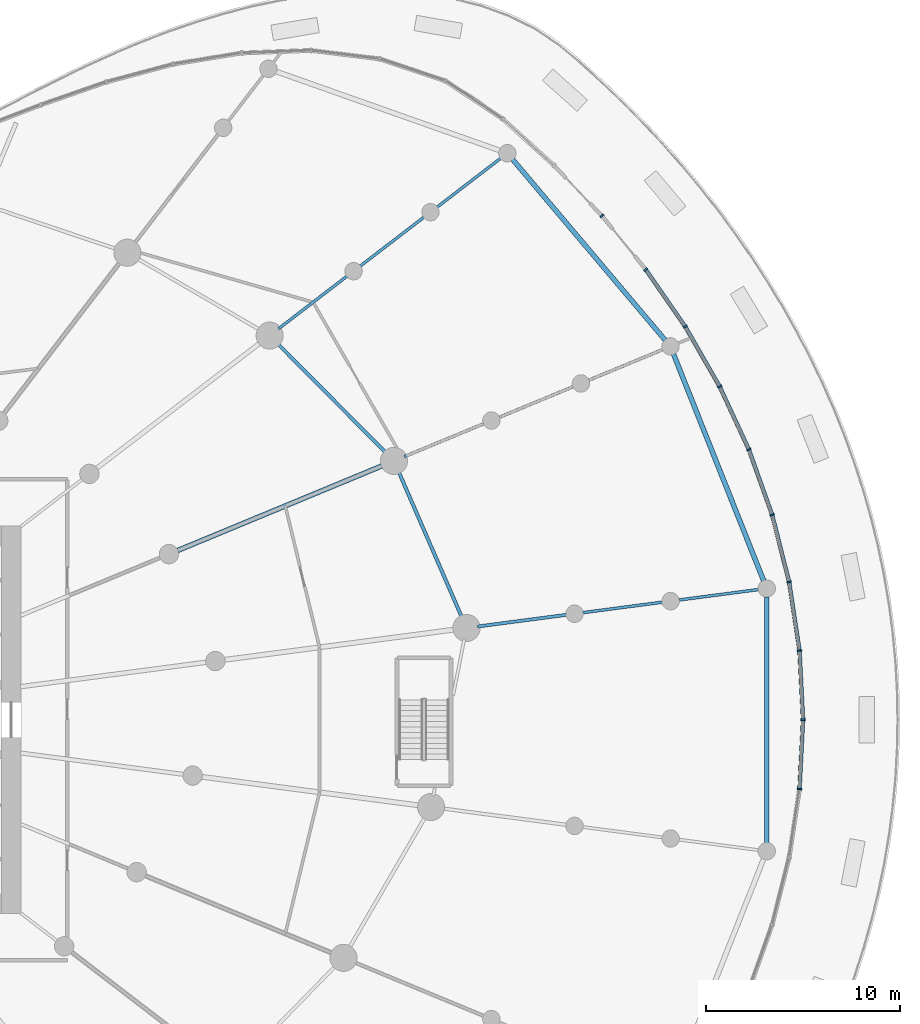
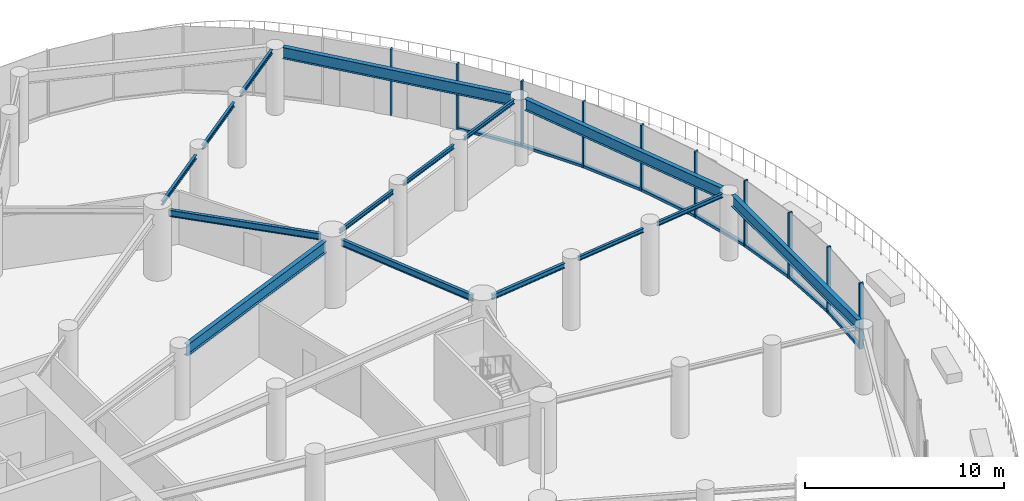
# One storey, part 8 of 24: 18 members, 15 beams, 3 elements without a shape of their own.
"""IFC4 building model written with IfcOpenShell, lengths in metres."""

from ifc_helpers import new_model, si_unit, direction, frame, origin, origin_2d, place, context, subcontext, project, spatial, rectangle, i_section, extrude, source, transform, mapped, material, layer, layer_set, material_profile, profile_set, type_object, element, aggregate, save


model = new_model("IFC4")

# Units and contexts
model_context = context("Model", 3, precision=1e-05, world=origin(), true_north=direction((0.0, 1.0)))
body_context = subcontext(model_context, "Body", "Model", "MODEL_VIEW")
ifc_project = project(units=[si_unit("LENGTHUNIT", "METRE"), si_unit("AREAUNIT", "SQUARE_METRE"), si_unit("VOLUMEUNIT", "CUBIC_METRE"), si_unit("PLANEANGLEUNIT", "RADIAN"), si_unit("MASSUNIT", "GRAM", prefix="KILO")], contexts=[model_context])

# Site, building, storey
site_placement = place(None, origin())
site = spatial("IfcSite", under=ifc_project, at=site_placement, CompositionType="ELEMENT")
building_placement = place(site_placement, origin())
building = spatial("IfcBuilding", under=site, at=building_placement, Name="Spindrift Exchange Tower", CompositionType="ELEMENT")
storey_placement = place(building_placement, frame((0.0, 0.0, 5.0)))
storey = spatial("IfcBuildingStorey", under=building, at=storey_placement, Name="L01", CompositionType="ELEMENT", Elevation=5.0)

# Beams
ifc_material_1 = material(Name="Steel Grade 300", Category="steel")
ifc_material_profile_1 = material_profile(ifc_material_1, i_section(OverallWidth=0.1650390625, OverallDepth=0.303955078125, WebThickness=0.006103515625, FlangeThickness=0.01025390625, FilletRadius=0.011474609375, at=origin_2d()), Name="310UB40.4")
ifc_profile_set_1 = profile_set([ifc_material_profile_1], Name="Steel Grade 300")
beam_type_1 = type_object("IfcBeamType", Name="Floor Beam 310UB40.4 Steel Grade 300", PredefinedType="BEAM", material=ifc_profile_set_1)
shared_shape_1 = source(origin(), body_context, "Body", "SweptSolid", [
    extrude(i_section(OverallWidth=0.1650390625, OverallDepth=0.303955078125, WebThickness=0.006103515625, FlangeThickness=0.01025390625, FilletRadius=0.011474609375, at=origin_2d()), origin(), (0.0, 0.0, 1.0), 4.613037109375),
])
beam_1_placement = place(storey_placement, frame((88.5654296875, 52.81396484375, 3.89794921875), z_axis=(0.991446547774, 0.130513382096, 0.0), x_axis=(-0.130513382096, 0.991446547774, 0.0)))
element("IfcBeam", 1, at=beam_1_placement, inside=storey, type_object=beam_type_1, Name="L01 radial beam R01C1", PredefinedType="BEAM", context=body_context, shape_type="MappedRepresentation", body=[
    mapped(shared_shape_1, transform((0.0, 0.0, 0.0), scale=1.0)),
])
ifc_material_profile_2 = material_profile(ifc_material_1, i_section(OverallWidth=0.14599609375, OverallDepth=0.251953125, WebThickness=0.006103515625, FlangeThickness=0.008544921875, FilletRadius=0.011962890625, at=origin_2d()), Name="250UB31.4")
ifc_profile_set_2 = profile_set([ifc_material_profile_2], Name="Steel Grade 300")
beam_type_2 = type_object("IfcBeamType", Name="Floor Beam 250UB31.4 Steel Grade 300", PredefinedType="BEAM", material=ifc_profile_set_2)
shared_shape_2 = source(origin(), body_context, "Body", "SweptSolid", [
    extrude(i_section(OverallWidth=0.14599609375, OverallDepth=0.251953125, WebThickness=0.006103515625, FlangeThickness=0.008544921875, FilletRadius=0.011962890625, at=origin_2d()), origin(), (0.0, 0.0, 1.0), 4.1396484375),
])
for number, where, z_axis, x_axis, name in (
    (2, (93.99169921875, 53.5283203125, 3.924072265625), (0.991446465077, 0.130514010304, 0.0), (-0.130514010304, 0.991446465077, 0.0), "L01 radial beam R01C2"),
    (3, (98.94873046875, 54.180908203125, 3.924072265625), (0.991446465077, 0.130514010304, 0.0), (-0.130514010304, 0.991446465077, 0.0), "L01 radial beam R01C3"),
    (4, (82.505859375, 71.407958984375, 3.924072265625), (0.793355694235, 0.608758361277, 0.0), (-0.608758361277, 0.793355694235, 0.0), "L01 radial beam R03C2"),
    (5, (86.472412109375, 74.45166015625, 3.924072265625), (0.793355694235, 0.608758361277, 0.0), (-0.608758361277, 0.793355694235, 0.0), "L01 radial beam R03C3"),
):
    element("IfcBeam", number, at=place(storey_placement, frame(where, z_axis=z_axis, x_axis=x_axis)), inside=storey, type_object=beam_type_2, Name=name, PredefinedType="BEAM", context=body_context, shape_type="MappedRepresentation", body=[
        mapped(shared_shape_2, transform((0.0, 0.0, 0.0), scale=1.0)),
    ])
ifc_material_profile_3 = material_profile(ifc_material_1, i_section(OverallWidth=0.25, OverallDepth=0.699951171875, WebThickness=0.008056640625, FlangeThickness=0.011962890625, at=origin_2d()), Name="700WB115")
ifc_profile_set_3 = profile_set([ifc_material_profile_3], Name="Steel Grade 300")
beam_type_3 = type_object("IfcBeamType", Name="Floor Beam 700WB115 Steel Grade 300", PredefinedType="BEAM", material=ifc_profile_set_3)
shared_shape_3 = source(origin(), body_context, "Body", "SweptSolid", [
    extrude(i_section(OverallWidth=0.25, OverallDepth=0.699951171875, WebThickness=0.008056640625, FlangeThickness=0.011962890625, at=origin_2d()), origin(), (0.0, 0.0, 1.0), 11.505859375),
])
beam_2_placement = place(storey_placement, frame((73.082763671875, 56.73291015625, 3.699951171875), z_axis=(0.923881578419, 0.38267849307, 0.0), x_axis=(-0.38267849307, 0.923881578419, 0.0)))
element("IfcBeam", 6, at=beam_2_placement, inside=storey, type_object=beam_type_3, Name="L01 radial beam R02B", PredefinedType="BEAM", context=body_context, shape_type="MappedRepresentation", body=[
    mapped(shared_shape_3, transform((0.0, 0.0, 0.0), scale=1.0)),
])
shared_shape_4 = source(origin(), body_context, "Body", "SweptSolid", [
    extrude(i_section(OverallWidth=0.14599609375, OverallDepth=0.251953125, WebThickness=0.006103515625, FlangeThickness=0.008544921875, FilletRadius=0.011962890625, at=origin_2d()), origin(), (0.0, 0.0, 1.0), 4.429931640625),
])
beam_3_placement = place(storey_placement, frame((84.78466796875, 61.579833984375, 3.924072265625), z_axis=(0.923877119512, 0.382689257808, 0.0), x_axis=(-0.382689257808, 0.923877119512, 0.0)))
element("IfcBeam", 7, at=beam_3_placement, inside=storey, type_object=beam_type_2, Name="L01 radial beam R02C1", PredefinedType="BEAM", context=body_context, shape_type="MappedRepresentation", body=[
    mapped(shared_shape_4, transform((0.0, 0.0, 0.0), scale=1.0)),
])
shared_shape_5 = source(origin(), body_context, "Body", "SweptSolid", [
    extrude(i_section(OverallWidth=0.14599609375, OverallDepth=0.251953125, WebThickness=0.006103515625, FlangeThickness=0.008544921875, FilletRadius=0.011962890625, at=origin_2d()), origin(), (0.0, 0.0, 1.0), 4.139892578125),
])
for number, where, z_axis, x_axis, name in (
    (8, (89.671875, 63.604248046875, 3.924072265625), (0.923880985108, 0.382679925467, 0.0), (-0.382679925467, 0.923880985108, 0.0), "L01 radial beam R02C2"),
    (9, (94.291015625, 65.517578125, 3.924072265625), (0.923880985108, 0.382679925467, 0.0), (-0.382679925467, 0.923880985108, 0.0), "L01 radial beam R02C3"),
):
    element("IfcBeam", number, at=place(storey_placement, frame(where, z_axis=z_axis, x_axis=x_axis)), inside=storey, type_object=beam_type_2, Name=name, PredefinedType="BEAM", context=body_context, shape_type="MappedRepresentation", body=[
        mapped(shared_shape_5, transform((0.0, 0.0, 0.0), scale=1.0)),
    ])
shared_shape_6 = source(origin(), body_context, "Body", "SweptSolid", [
    extrude(i_section(OverallWidth=0.14599609375, OverallDepth=0.251953125, WebThickness=0.006103515625, FlangeThickness=0.008544921875, FilletRadius=0.011962890625, at=origin_2d()), origin(), (0.0, 0.0, 1.0), 4.44677734375),
])
beam_4_placement = place(storey_placement, frame((78.295654296875, 68.177490234375, 3.924072265625), z_axis=(0.79335002513, 0.608765749387, 0.0), x_axis=(-0.608765749387, 0.79335002513, 0.0)))
element("IfcBeam", 10, at=beam_4_placement, inside=storey, type_object=beam_type_2, Name="L01 radial beam R03C1", PredefinedType="BEAM", context=body_context, shape_type="MappedRepresentation", body=[
    mapped(shared_shape_6, transform((0.0, 0.0, 0.0), scale=1.0)),
])
ifc_material_profile_4 = material_profile(ifc_material_1, i_section(OverallWidth=0.177978515625, OverallDepth=0.406005859375, WebThickness=0.0078125, FlangeThickness=0.0126953125, FilletRadius=0.013916015625, at=origin_2d()), Name="410UB59.7")
ifc_profile_set_4 = profile_set([ifc_material_profile_4], Name="Steel Grade 300")
beam_type_4 = type_object("IfcBeamType", Name="Edge Beam 410UB59.7 Steel Grade 300", PredefinedType="SPANDREL", material=ifc_profile_set_4)
shared_shape_7 = source(origin(), body_context, "Body", "SweptSolid", [
    extrude(i_section(OverallWidth=0.177978515625, OverallDepth=0.406005859375, WebThickness=0.0078125, FlangeThickness=0.0126953125, FilletRadius=0.013916015625, at=origin_2d()), origin(), (0.0, 0.0, 1.0), 8.23681640625),
])
beam_5_placement = place(storey_placement, frame((87.759521484375, 53.270263671875, 3.846923828125), z_axis=(-0.398186298756, 0.91730456855, 0.0), x_axis=(-0.91730456855, -0.398186298756, 0.0)))
element("IfcBeam", 11, at=beam_5_placement, inside=storey, type_object=beam_type_4, Name="L01 edge beam E01", PredefinedType="SPANDREL", context=body_context, shape_type="MappedRepresentation", body=[
    mapped(shared_shape_7, transform((0.0, 0.0, 0.0), scale=1.0)),
])
shared_shape_8 = source(origin(), body_context, "Body", "SweptSolid", [
    extrude(i_section(OverallWidth=0.177978515625, OverallDepth=0.406005859375, WebThickness=0.0078125, FlangeThickness=0.0126953125, FilletRadius=0.013916015625, at=origin_2d()), origin(), (0.0, 0.0, 1.0), 7.947509765625),
])
beam_6_placement = place(storey_placement, frame((83.840576171875, 61.769775390625, 3.846923828125), z_axis=(-0.704197895271, 0.710003749494, 0.0), x_axis=(-0.710003749494, -0.704197895271, 0.0)))
element("IfcBeam", 12, at=beam_6_placement, inside=storey, type_object=beam_type_4, Name="L01 edge beam E02", PredefinedType="SPANDREL", context=body_context, shape_type="MappedRepresentation", body=[
    mapped(shared_shape_8, transform((0.0, 0.0, 0.0), scale=1.0)),
])
ifc_material_profile_5 = material_profile(ifc_material_1, i_section(OverallWidth=0.25, OverallDepth=0.699951171875, WebThickness=0.008056640625, FlangeThickness=0.011962890625, at=origin_2d()), Name="700WB115")
ifc_profile_set_5 = profile_set([ifc_material_profile_5], Name="Steel Grade 300")
beam_type_5 = type_object("IfcBeamType", Name="Edge Beam 700WB115 Steel Grade 300", PredefinedType="SPANDREL", material=ifc_profile_set_5)
shared_shape_9 = source(origin(), body_context, "Body", "SweptSolid", [
    extrude(i_section(OverallWidth=0.25, OverallDepth=0.699951171875, WebThickness=0.008056640625, FlangeThickness=0.011962890625, at=origin_2d()), origin(), (0.0, 0.0, 1.0), 12.580078125),
])
beam_7_placement = place(storey_placement, frame((103.320556640625, 55.177001953125, 3.699951171875), z_axis=(-0.369509442432, 0.929226975477, 0.0), x_axis=(-0.929226975477, -0.369509442432, 0.0)))
element("IfcBeam", 13, at=beam_7_placement, inside=storey, type_object=beam_type_5, Name="L01 cascade edge beam G01", PredefinedType="SPANDREL", context=body_context, shape_type="MappedRepresentation", body=[
    mapped(shared_shape_9, transform((0.0, 0.0, 0.0), scale=1.0)),
])
shared_shape_10 = source(origin(), body_context, "Body", "SweptSolid", [
    extrude(i_section(OverallWidth=0.25, OverallDepth=0.699951171875, WebThickness=0.008056640625, FlangeThickness=0.011962890625, at=origin_2d()), origin(), (0.0, 0.0, 1.0), 12.184326171875),
])
beam_8_placement = place(storey_placement, frame((98.235595703125, 67.594970703125, 3.699951171875), z_axis=(-0.645119993508, 0.764081274457, 0.0), x_axis=(-0.764081274457, -0.645119993508, 0.0)))
element("IfcBeam", 14, at=beam_8_placement, inside=storey, type_object=beam_type_5, Name="L01 cascade edge beam G02", PredefinedType="SPANDREL", context=body_context, shape_type="MappedRepresentation", body=[
    mapped(shared_shape_10, transform((0.0, 0.0, 0.0), scale=1.0)),
])
shared_shape_11 = source(origin(), body_context, "Body", "SweptSolid", [
    extrude(i_section(OverallWidth=0.25, OverallDepth=0.699951171875, WebThickness=0.008056640625, FlangeThickness=0.011962890625, at=origin_2d()), origin(), (0.0, 0.0, 1.0), 12.69482421875),
])
beam_9_placement = place(storey_placement, frame((103.4794921875, 41.652587890625, 3.699951171875), z_axis=(0.0, 1.0, 0.0), x_axis=(-1.0, 0.0, 0.0)))
element("IfcBeam", 15, at=beam_9_placement, inside=storey, type_object=beam_type_5, Name="L01 cascade edge beam G24", PredefinedType="SPANDREL", context=body_context, shape_type="MappedRepresentation", body=[
    mapped(shared_shape_11, transform((0.0, 0.0, 0.0), scale=1.0)),
])

# Curtain wall, members
ifc_material_2 = material(Name="Fritted laminated glass with bronze frame", Category="glass")
ifc_layer = layer(ifc_material_2, 0.219970703125)
ifc_layer_set = layer_set([ifc_layer], Name="PODIUM BRONZE GLAZED WALL")
curtain_wall_type = type_object("IfcCurtainWallType", Name="PODIUM BRONZE GLAZED WALL", PredefinedType="NOTDEFINED", material=ifc_layer_set)
curtain_wall_1_placement = place(storey_placement, origin())
curtain_wall_1 = element("IfcCurtainWall", 16, at=curtain_wall_1_placement, inside=storey, type_object=curtain_wall_type, Name="L01 Podium Bronze Glazed Wall run 1", PredefinedType="NOTDEFINED")
ifc_material_3 = material(Name="Bronze anodised aluminium", Category="aluminium")
ifc_material_profile_6 = material_profile(ifc_material_3, rectangle(XDim=0.090087890625, YDim=0.219970703125, at=origin_2d()), Name="PODIUM BRONZE GLAZED WALL MULLION 90X220")
ifc_profile_set_6 = profile_set([ifc_material_profile_6], Name="Bronze anodised aluminium")
member_type_1 = type_object("IfcMemberType", Name="PODIUM BRONZE GLAZED WALL MULLION 90X220", PredefinedType="MULLION", material=ifc_profile_set_6)
shared_shape_12 = source(origin(), body_context, "Body", "SweptSolid", [
    extrude(rectangle(XDim=0.090087890625, YDim=0.219970703125, at=origin_2d()), origin(), (0.0, 0.0, 1.0), 4.050048828125),
])
member_1_placement = place(storey_placement, frame((105.35009765625, 48.0, 0.0), z_axis=(0.0, 0.0, 1.0), x_axis=(0.0, 1.0, 0.0)))
member_1 = element("IfcMember", 17, at=member_1_placement, type_object=member_type_1, Name="L01 mullion CW-P.1", PredefinedType="MULLION", context=body_context, shape_type="MappedRepresentation", body=[
    mapped(shared_shape_12, transform((0.0, 0.0, 0.0), scale=1.0)),
])
member_2_placement = place(storey_placement, frame((105.169189453125, 51.571533203125, 0.0), z_axis=(0.0, 0.0, 1.0), x_axis=(-0.100096433744, 0.99497774043, 0.0)))
member_2 = element("IfcMember", 18, at=member_2_placement, type_object=member_type_1, Name="L01 mullion CW-P.2", PredefinedType="MULLION", context=body_context, shape_type="MappedRepresentation", body=[
    mapped(shared_shape_12, transform((0.0, 0.0, 0.0), scale=1.0)),
])
member_3_placement = place(storey_placement, frame((104.635009765625, 55.107421875, 0.0), z_axis=(0.0, 0.0, 1.0), x_axis=(-0.197470140413, 0.980308902156, 0.0)))
member_3 = element("IfcMember", 19, at=member_3_placement, type_object=member_type_1, Name="L01 mullion CW-P.3", PredefinedType="MULLION", context=body_context, shape_type="MappedRepresentation", body=[
    mapped(shared_shape_12, transform((0.0, 0.0, 0.0), scale=1.0)),
])
member_4_placement = place(storey_placement, frame((103.7587890625, 58.57421875, 0.0), z_axis=(0.0, 0.0, 1.0), x_axis=(-0.29076245768, 0.956795272357, 0.0)))
member_4 = element("IfcMember", 20, at=member_4_placement, type_object=member_type_1, Name="L01 mullion CW-P.4", PredefinedType="MULLION", context=body_context, shape_type="MappedRepresentation", body=[
    mapped(shared_shape_12, transform((0.0, 0.0, 0.0), scale=1.0)),
])
member_5_placement = place(storey_placement, frame((102.557861328125, 61.942626953125, 0.0), z_axis=(0.0, 0.0, 1.0), x_axis=(-0.378512151379, 0.925596321977, 0.0)))
member_5 = element("IfcMember", 21, at=member_5_placement, type_object=member_type_1, Name="L01 mullion CW-P.5", PredefinedType="MULLION", context=body_context, shape_type="MappedRepresentation", body=[
    mapped(shared_shape_12, transform((0.0, 0.0, 0.0), scale=1.0)),
])
member_6_placement = place(storey_placement, frame((101.05419921875, 65.1875, 0.0), z_axis=(0.0, 0.0, 1.0), x_axis=(-0.459730080387, 0.888058699179, 0.0)))
member_6 = element("IfcMember", 22, at=member_6_placement, type_object=member_type_1, Name="L01 mullion CW-P.6", PredefinedType="MULLION", context=body_context, shape_type="MappedRepresentation", body=[
    mapped(shared_shape_12, transform((0.0, 0.0, 0.0), scale=1.0)),
])

curtain_wall_2_placement = place(storey_placement, origin())
curtain_wall_2 = element("IfcCurtainWall", 23, at=curtain_wall_2_placement, inside=storey, type_object=curtain_wall_type, Name="L01 Podium Bronze Glazed Wall run 2", PredefinedType="NOTDEFINED")
member_7_placement = place(storey_placement, frame((99.272705078125, 68.288330078125, 0.0), z_axis=(0.0, 0.0, 1.0), x_axis=(-0.533934609446, 0.845525773017, 0.0)))
member_7 = element("IfcMember", 24, at=member_7_placement, type_object=member_type_1, Name="L01 mullion CW-P.7", PredefinedType="MULLION", context=body_context, shape_type="MappedRepresentation", body=[
    mapped(shared_shape_12, transform((0.0, 0.0, 0.0), scale=1.0)),
])
member_8_placement = place(storey_placement, frame((97.238525390625, 71.22998046875, 0.0), z_axis=(0.0, 0.0, 1.0), x_axis=(-0.601028509407, 0.799227583908, 0.0)))
member_8 = element("IfcMember", 25, at=member_8_placement, type_object=member_type_1, Name="L01 mullion CW-P.8", PredefinedType="MULLION", context=body_context, shape_type="MappedRepresentation", body=[
    mapped(shared_shape_12, transform((0.0, 0.0, 0.0), scale=1.0)),
])
member_9_placement = place(storey_placement, frame((94.976806640625, 74.000732421875, 0.0), z_axis=(0.0, 0.0, 1.0), x_axis=(-0.661218736963, 0.750193163051, 0.0)))
member_9 = element("IfcMember", 26, at=member_9_placement, type_object=member_type_1, Name="L01 mullion CW-P.9", PredefinedType="MULLION", context=body_context, shape_type="MappedRepresentation", body=[
    mapped(shared_shape_12, transform((0.0, 0.0, 0.0), scale=1.0)),
])

# Curtain wall, member
curtain_wall_3_placement = place(storey_placement, origin())
curtain_wall_3 = element("IfcCurtainWall", 27, at=curtain_wall_3_placement, inside=storey, type_object=curtain_wall_type, Name="L01 Podium Bronze Glazed Wall run 12", PredefinedType="NOTDEFINED")
member_10_placement = place(storey_placement, frame((105.169189453125, 44.428466796875, 0.0), z_axis=(0.0, 0.0, 1.0), x_axis=(0.100096433744, 0.99497774043, 0.0)))
member_10 = element("IfcMember", 28, at=member_10_placement, type_object=member_type_1, Name="L01 mullion CW-P.72", PredefinedType="MULLION", context=body_context, shape_type="MappedRepresentation", body=[
    mapped(shared_shape_12, transform((0.0, 0.0, 0.0), scale=1.0)),
])

# Member
ifc_material_profile_7 = material_profile(ifc_material_3, rectangle(XDim=0.199951171875, YDim=0.159912109375, at=origin_2d()), Name="PODIUM BRONZE GLAZED WALL TRANSOM 200X160")
ifc_profile_set_7 = profile_set([ifc_material_profile_7], Name="Bronze anodised aluminium")
member_type_2 = type_object("IfcMemberType", Name="PODIUM BRONZE GLAZED WALL TRANSOM 200X160", PredefinedType="USERDEFINED", material=ifc_profile_set_7)
shared_shape_13 = source(origin(), body_context, "Body", "SweptSolid", [
    extrude(rectangle(XDim=0.199951171875, YDim=0.159912109375, at=origin_2d()), origin(), (0.0, 0.0, 1.0), 3.486083984375),
])
member_11_placement = place(storey_placement, frame((105.34765625, 48.044921875, 0.080078125), z_axis=(-0.050492974132, 0.998724416225, 0.0), x_axis=(-0.998724416225, -0.050492974132, 0.0)))
member_11 = element("IfcMember", 29, at=member_11_placement, type_object=member_type_2, Name="L01 transom CW-P.1", ObjectType="TRANSOM", PredefinedType="USERDEFINED", context=body_context, shape_type="MappedRepresentation", body=[
    mapped(shared_shape_13, transform((0.0, 0.0, 0.0), scale=1.0)),
])

member_12_placement = place(storey_placement, frame((102.538818359375, 61.9833984375, 0.080078125), z_axis=(-0.420403360541, 0.907337321202, 0.0), x_axis=(-0.907337321202, -0.420403360541, 0.0)))
member_12 = element("IfcMember", 30, at=member_12_placement, type_object=member_type_2, Name="L01 transom CW-P.5", ObjectType="TRANSOM", PredefinedType="USERDEFINED", context=body_context, shape_type="MappedRepresentation", body=[
    mapped(shared_shape_13, transform((0.0, 0.0, 0.0), scale=1.0)),
])

member_13_placement = place(storey_placement, frame((105.171630859375, 44.473388671875, 0.080078125), z_axis=(0.050492974132, 0.998724416225, 0.0), x_axis=(-0.998724416225, 0.050492974132, 0.0)))
member_13 = element("IfcMember", 31, at=member_13_placement, type_object=member_type_2, Name="L01 transom CW-P.72", ObjectType="TRANSOM", PredefinedType="USERDEFINED", context=body_context, shape_type="MappedRepresentation", body=[
    mapped(shared_shape_13, transform((0.0, 0.0, 0.0), scale=1.0)),
])

aggregate(curtain_wall_3, [member_10, member_13])

shared_shape_14 = source(origin(), body_context, "Body", "SweptSolid", [
    extrude(rectangle(XDim=0.199951171875, YDim=0.159912109375, at=origin_2d()), origin(), (0.0, 0.0, 1.0), 3.48583984375),
])
member_14_placement = place(storey_placement, frame((105.16259765625, 51.615966796875, 0.080078125), z_axis=(-0.149388352053, 0.988778600229, 0.0), x_axis=(-0.988778600229, -0.149388352053, 0.0)))
member_14 = element("IfcMember", 32, at=member_14_placement, type_object=member_type_2, Name="L01 transom CW-P.2", ObjectType="TRANSOM", PredefinedType="USERDEFINED", context=body_context, shape_type="MappedRepresentation", body=[
    mapped(shared_shape_14, transform((0.0, 0.0, 0.0), scale=1.0)),
])

member_15_placement = place(storey_placement, frame((104.6240234375, 55.15087890625, 0.080078125), z_axis=(-0.245056103396, 0.969508899489, 0.0), x_axis=(-0.969508899489, -0.245056103396, 0.0)))
member_15 = element("IfcMember", 33, at=member_15_placement, type_object=member_type_2, Name="L01 transom CW-P.3", ObjectType="TRANSOM", PredefinedType="USERDEFINED", context=body_context, shape_type="MappedRepresentation", body=[
    mapped(shared_shape_14, transform((0.0, 0.0, 0.0), scale=1.0)),
])

member_16_placement = place(storey_placement, frame((103.74365234375, 58.61669921875, 0.080078125), z_axis=(-0.335826125296, 0.941923995643, 0.0), x_axis=(-0.941923995643, -0.335826125296, 0.0)))
member_16 = element("IfcMember", 34, at=member_16_placement, type_object=member_type_2, Name="L01 transom CW-P.4", ObjectType="TRANSOM", PredefinedType="USERDEFINED", context=body_context, shape_type="MappedRepresentation", body=[
    mapped(shared_shape_14, transform((0.0, 0.0, 0.0), scale=1.0)),
])

shared_shape_15 = source(origin(), body_context, "Body", "SweptSolid", [
    extrude(rectangle(XDim=0.199951171875, YDim=0.159912109375, at=origin_2d()), origin(), (0.0, 0.0, 1.0), 3.486328125),
])
member_17_placement = place(storey_placement, frame((101.031982421875, 65.226318359375, 0.080078125), z_axis=(-0.498173750547, 0.867077225088, 0.0), x_axis=(-0.867077225088, -0.498173750547, 0.0)))
member_17 = element("IfcMember", 35, at=member_17_placement, type_object=member_type_2, Name="L01 transom CW-P.6", ObjectType="TRANSOM", PredefinedType="USERDEFINED", context=body_context, shape_type="MappedRepresentation", body=[
    mapped(shared_shape_15, transform((0.0, 0.0, 0.0), scale=1.0)),
])

aggregate(curtain_wall_1, [member_1, member_11, member_2, member_14, member_3, member_15, member_4, member_16, member_5, member_12, member_6, member_17])

member_18_placement = place(storey_placement, frame((99.2470703125, 68.325439453125, 0.080078125), z_axis=(-0.568776559541, 0.822492082222, 0.0), x_axis=(-0.822492082222, -0.568776559541, 0.0)))
member_18 = element("IfcMember", 36, at=member_18_placement, type_object=member_type_2, Name="L01 transom CW-P.7", ObjectType="TRANSOM", PredefinedType="USERDEFINED", context=body_context, shape_type="MappedRepresentation", body=[
    mapped(shared_shape_15, transform((0.0, 0.0, 0.0), scale=1.0)),
])

aggregate(curtain_wall_2, [member_7, member_18, member_8, member_9])

save(model, "model.ifc")
